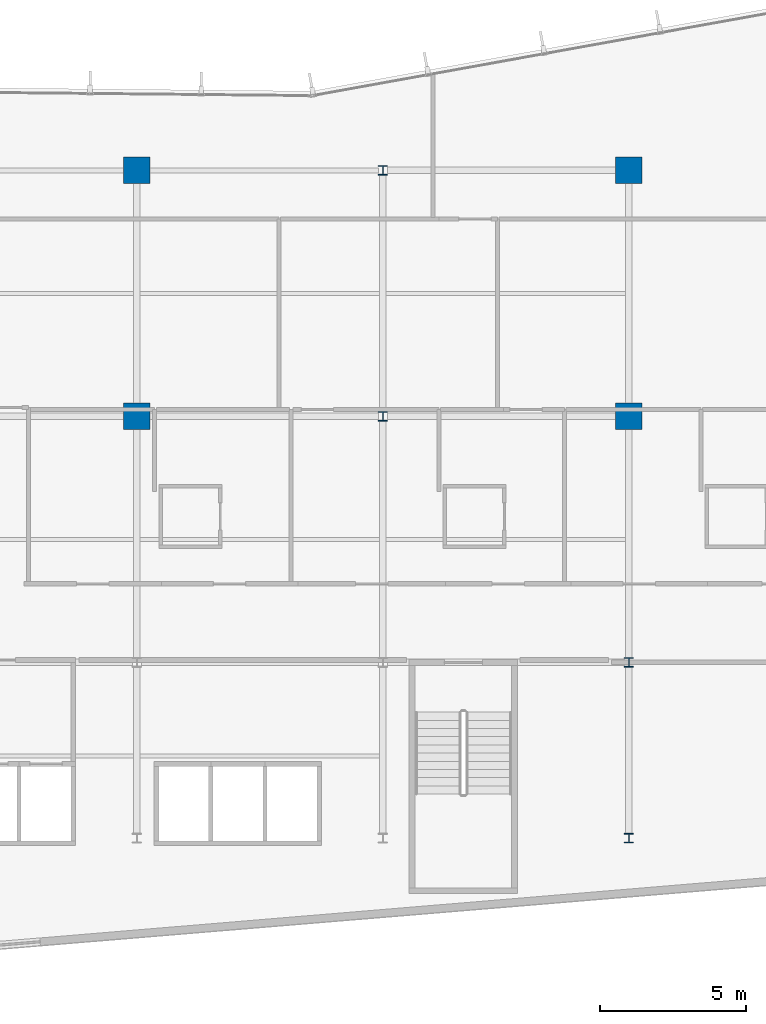
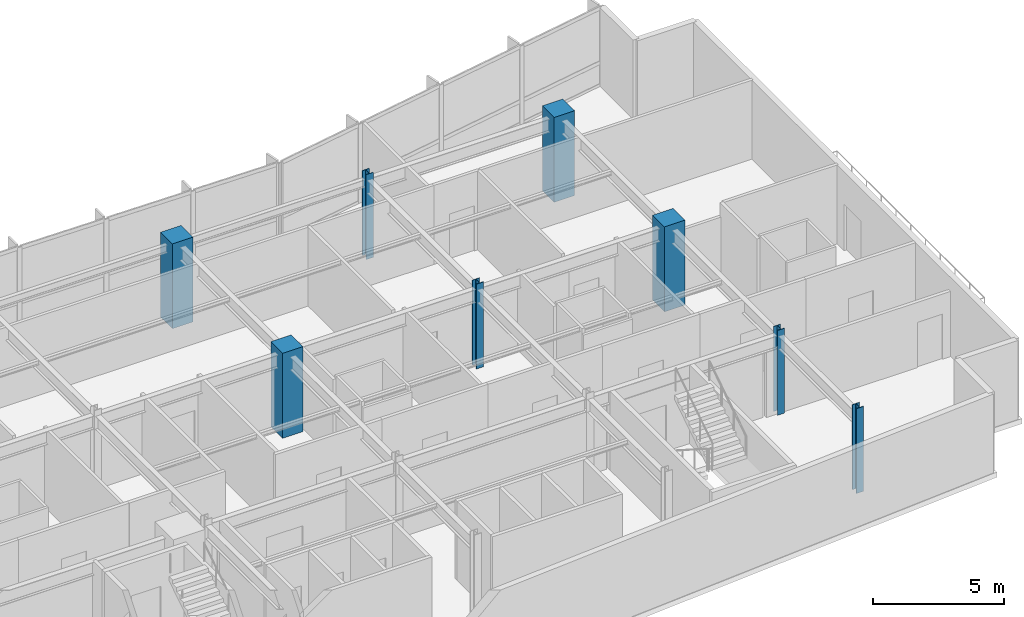
# One storey, part 2 of 19: 8 columns.
"""IFC4 building model written with IfcOpenShell, lengths in metres."""

from ifc_helpers import new_model, si_unit, direction, frame, origin, origin_2d, place, context, subcontext, project, spatial, rectangle, i_section, extrude, material, material_profile, profile_set, type_object, element, save


model = new_model("IFC4")

# Units and contexts
model_context = context("Model", 3, precision=1e-05, world=origin(), true_north=direction((0.0, 1.0)))
body_context = subcontext(model_context, "Body", "Model", "MODEL_VIEW")
ifc_project = project(units=[si_unit("LENGTHUNIT", "METRE"), si_unit("AREAUNIT", "SQUARE_METRE"), si_unit("VOLUMEUNIT", "CUBIC_METRE"), si_unit("PLANEANGLEUNIT", "RADIAN"), si_unit("MASSUNIT", "GRAM", prefix="KILO")], contexts=[model_context])

# Site, building, storey
site_placement = place(None, origin())
site = spatial("IfcSite", under=ifc_project, at=site_placement, CompositionType="ELEMENT")
building_placement = place(site_placement, origin())
building = spatial("IfcBuilding", under=site, at=building_placement, Name="Varnakote Quay Hospital", CompositionType="ELEMENT")
storey_placement = place(building_placement, frame((0.0, 0.0, 93.60009765625)))
storey = spatial("IfcBuildingStorey", under=building, at=storey_placement, Name="L23", CompositionType="ELEMENT", Elevation=93.60009765625)

# Columns
ifc_material_1 = material(Name="Concrete N50 (f'c 50 MPa)", Category="concrete")
ifc_material_profile_1 = material_profile(ifc_material_1, rectangle(XDim=0.89990234375, YDim=0.89990234375, at=origin_2d()), Name="RC-COL-900x900")
ifc_profile_set_1 = profile_set([ifc_material_profile_1], Name="Concrete N50 (f'c 50 MPa)")
column_type_1 = type_object("IfcColumnType", Name="COL-RC-900", PredefinedType="COLUMN", material=ifc_profile_set_1)
for number, where, z_axis, x_axis, name in (
    (1, (33.60009765625, 20.39990234375, 0.0), (0.0, 0.0, 1.0), (1.0, 0.0, 0.0), "L23 Structural Column C-34-20"),
    (2, (50.39990234375, 20.39990234375, 0.0), (0.0, 0.0, 1.0), (1.0, 0.0, 0.0), "L23 Structural Column C-50-20"),
    (3, (33.60009765625, 28.800048828125, 0.0), (0.0, 0.0, 1.0), (1.0, 0.0, 0.0), "L23 Structural Column C-34-29"),
    (4, (50.39990234375, 28.800048828125, 0.0), (0.0, 0.0, 1.0), (1.0, 0.0, 0.0), "L23 Structural Column C-50-29"),
):
    element("IfcColumn", number, at=place(storey_placement, frame(where, z_axis=z_axis, x_axis=x_axis)), inside=storey, type_object=column_type_1, Name=name, PredefinedType="COLUMN", context=body_context, shape_type="SweptSolid", body=[
        extrude(rectangle(XDim=0.89990234375, YDim=0.89990234375, at=origin_2d()), origin(), (0.0, 0.0, 1.0), 3.949951171875),
    ])
ifc_material_2 = material(Name="Structural steel AS/NZS 3679.1 Grade 350 L0 (fy 340 MPa)", Category="steel")
ifc_material_profile_2 = material_profile(ifc_material_2, i_section(OverallWidth=0.31103515625, OverallDepth=0.326904296875, WebThickness=0.015625, FlangeThickness=0.02490234375, FilletRadius=0.0166015625, at=origin_2d()), Name="310UC158")
ifc_profile_set_2 = profile_set([ifc_material_profile_2], Name="Structural steel AS/NZS 3679.1 Grade 350 L0 (fy 340 MPa)")
column_type_2 = type_object("IfcColumnType", Name="COL-STL-310UC158", PredefinedType="COLUMN", material=ifc_profile_set_2)
for number, where, z_axis, x_axis, name in (
    (5, (50.39990234375, 6.0, 0.0), (0.0, 0.0, 1.0), (1.0, 0.0, 0.0), "L23 Structural Column C-50-6"),
    (6, (50.39990234375, 12.0, 0.0), (0.0, 0.0, 1.0), (1.0, 0.0, 0.0), "L23 Structural Column C-50-12"),
    (7, (42.0, 20.39990234375, 0.0), (0.0, 0.0, 1.0), (1.0, 0.0, 0.0), "L23 Structural Column C-42-20"),
    (8, (42.0, 28.800048828125, 0.0), (0.0, 0.0, 1.0), (1.0, 0.0, 0.0), "L23 Structural Column C-42-29"),
):
    element("IfcColumn", number, at=place(storey_placement, frame(where, z_axis=z_axis, x_axis=x_axis)), inside=storey, type_object=column_type_2, Name=name, PredefinedType="COLUMN", context=body_context, shape_type="SweptSolid", body=[
        extrude(i_section(OverallWidth=0.31103515625, OverallDepth=0.326904296875, WebThickness=0.015625, FlangeThickness=0.02490234375, FilletRadius=0.0166015625, at=origin_2d()), origin(), (0.0, 0.0, 1.0), 3.949951171875),
    ])

save(model, "model.ifc")
